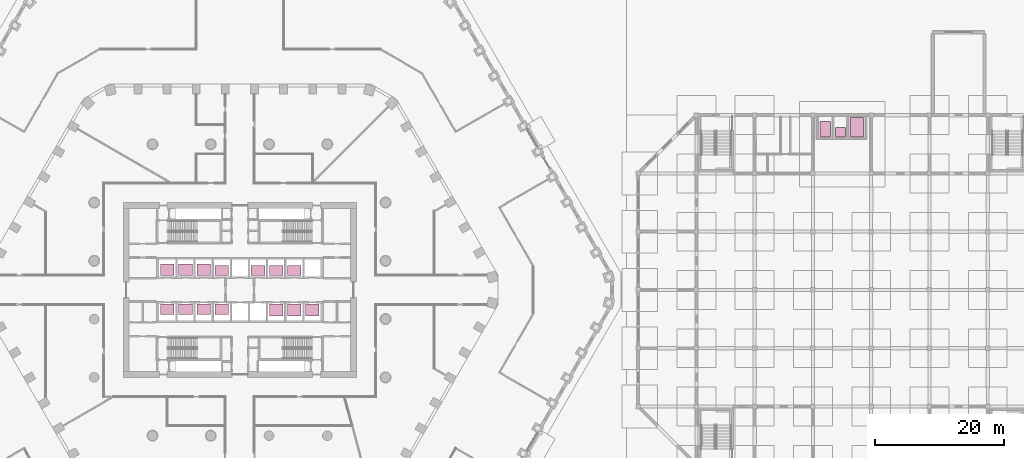
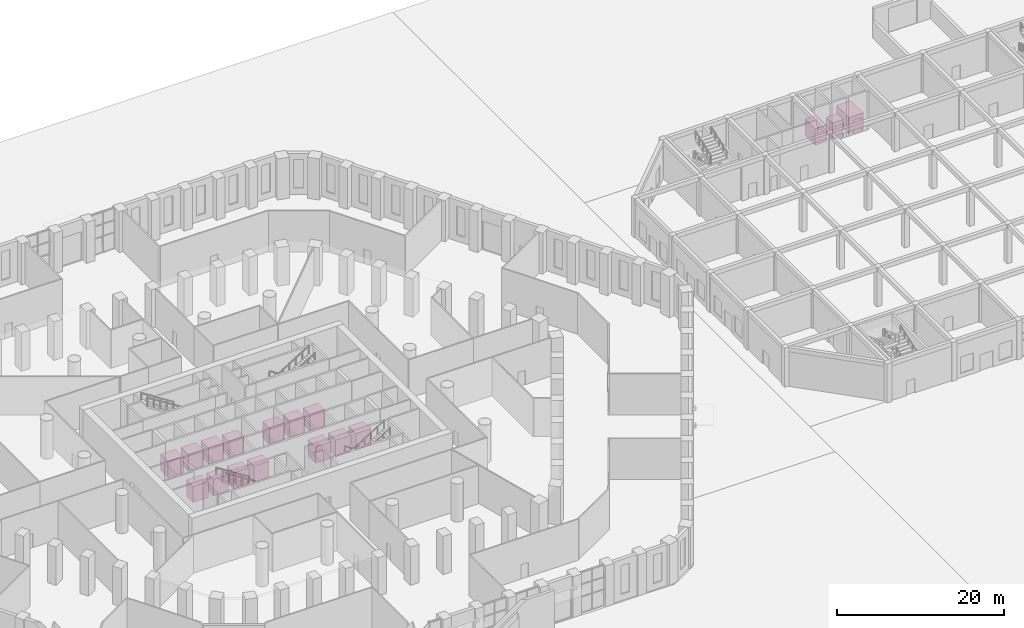
# One storey, part 44 of 44: 17 transport elements.
"""IFC4 building model written with IfcOpenShell, lengths in metres."""

from ifc_helpers import new_model, si_unit, direction, frame, origin, origin_2d, place, context, subcontext, project, spatial, rectangle, extrude, material, type_object, element, save


model = new_model("IFC4")

# Units and contexts
model_context = context("Model", 3, precision=1e-05, world=origin(), true_north=direction((0.0, 1.0)))
body_context = subcontext(model_context, "Body", "Model", "MODEL_VIEW")
ifc_project = project(units=[si_unit("LENGTHUNIT", "METRE"), si_unit("AREAUNIT", "SQUARE_METRE"), si_unit("VOLUMEUNIT", "CUBIC_METRE"), si_unit("PLANEANGLEUNIT", "RADIAN"), si_unit("MASSUNIT", "GRAM", prefix="KILO")], contexts=[model_context])

# Site, building, storey
site_placement = place(None, origin())
site = spatial("IfcSite", under=ifc_project, at=site_placement, CompositionType="ELEMENT")
building_placement = place(site_placement, origin())
building = spatial("IfcBuilding", under=site, at=building_placement, Name="Dhurran Vertical Campus", CompositionType="ELEMENT")
storey_placement = place(building_placement, origin())
storey = spatial("IfcBuildingStorey", under=building, at=storey_placement, Name="L00", CompositionType="ELEMENT", Elevation=0.0)

# Transport elements
ifc_material_1 = material(Name="Lift car, brushed stainless panels")
transport_element_type_1 = type_object("IfcTransportElementType", Name="co-LIFT-LR", PredefinedType="ELEVATOR", material=ifc_material_1)
for number, where, z_axis, x_axis, name in (
    (1, (-2.800048828125, 3.0, 0.0), (0.0, 0.0, 1.0), (1.0, 0.0, 0.0), "Low-rise passenger lift LR1"),
    (2, (2.800048828125, 3.0, 0.0), (0.0, 0.0, 1.0), (1.0, 0.0, 0.0), "Low-rise passenger lift LR2"),
    (3, (5.60009765625, 3.0, 0.0), (0.0, 0.0, 1.0), (1.0, 0.0, 0.0), "Low-rise passenger lift LR3"),
    (4, (8.39990234375, 3.0, 0.0), (0.0, 0.0, 1.0), (1.0, 0.0, 0.0), "Low-rise passenger lift LR4"),
    (5, (-11.199951171875, -3.0, 0.0), (0.0, 0.0, 1.0), (1.0, 0.0, 0.0), "Low-rise passenger lift LR5"),
    (6, (-8.39990234375, -3.0, 0.0), (0.0, 0.0, 1.0), (1.0, 0.0, 0.0), "Low-rise passenger lift LR6"),
    (7, (-5.60009765625, -3.0, 0.0), (0.0, 0.0, 1.0), (1.0, 0.0, 0.0), "Low-rise passenger lift LR7"),
    (8, (-2.800048828125, -3.0, 0.0), (0.0, 0.0, 1.0), (1.0, 0.0, 0.0), "Low-rise passenger lift LR8"),
):
    element("IfcTransportElement", number, at=place(storey_placement, frame(where, z_axis=z_axis, x_axis=x_axis)), inside=storey, type_object=transport_element_type_1, Name=name, PredefinedType="ELEVATOR", context=body_context, shape_type="SweptSolid", body=[
        extrude(rectangle(XDim=2.10009765625, YDim=1.60009765625, at=origin_2d()), origin(), (0.0, 0.0, 1.0), 2.39990234375),
    ])
ifc_material_2 = material(Name="Lift car, brushed stainless panels")
transport_element_type_2 = type_object("IfcTransportElementType", Name="co-LIFT-SHUTTLE", PredefinedType="ELEVATOR", material=ifc_material_2)
for number, where, z_axis, x_axis, name in (
    (9, (-11.199951171875, 3.10009765625, 0.0), (0.0, 0.0, 1.0), (1.0, 0.0, 0.0), "Sky lobby shuttle lift SA1"),
    (10, (-8.39990234375, 3.10009765625, 0.0), (0.0, 0.0, 1.0), (1.0, 0.0, 0.0), "Sky lobby shuttle lift SA2"),
    (11, (-5.60009765625, 3.10009765625, 0.0), (0.0, 0.0, 1.0), (1.0, 0.0, 0.0), "Sky lobby shuttle lift SA3"),
    (12, (5.60009765625, -3.10009765625, 0.0), (0.0, 0.0, 1.0), (1.0, 0.0, 0.0), "Sky lobby shuttle lift SB1"),
    (13, (8.39990234375, -3.10009765625, 0.0), (0.0, 0.0, 1.0), (1.0, 0.0, 0.0), "Sky lobby shuttle lift SB2"),
    (14, (11.199951171875, -3.10009765625, 0.0), (0.0, 0.0, 1.0), (1.0, 0.0, 0.0), "Sky lobby shuttle lift SB3"),
):
    element("IfcTransportElement", number, at=place(storey_placement, frame(where, z_axis=z_axis, x_axis=x_axis)), inside=storey, type_object=transport_element_type_2, Name=name, PredefinedType="ELEVATOR", context=body_context, shape_type="SweptSolid", body=[
        extrude(rectangle(XDim=2.10009765625, YDim=1.800048828125, at=origin_2d()), origin(), (0.0, 0.0, 1.0), 2.39990234375),
    ])
ifc_material_3 = material(Name="Stainless steel", Category="steel")
transport_element_type_3 = type_object("IfcTransportElementType", Name="hl-lift HLF1", PredefinedType="ELEVATOR", material=ifc_material_3)
transport_element_1_placement = place(storey_placement, frame((90.39990234375, 24.800048828125, 0.0), z_axis=(0.0, 0.0, 1.0), x_axis=(1.0, 0.0, 0.0)))
element("IfcTransportElement", 15, at=transport_element_1_placement, inside=storey, type_object=transport_element_type_3, Name="Lift LF1 (stretcher and passenger)", PredefinedType="ELEVATOR", context=body_context, shape_type="SweptSolid", body=[
    extrude(rectangle(XDim=1.60009765625, YDim=2.39990234375, at=origin_2d()), origin(), (0.0, 0.0, 1.0), 2.39990234375),
])
ifc_material_4 = material(Name="Stainless steel", Category="steel")
transport_element_type_4 = type_object("IfcTransportElementType", Name="hl-lift HLF2", PredefinedType="ELEVATOR", material=ifc_material_4)
transport_element_2_placement = place(storey_placement, frame((92.75, 24.35009765625, 0.0), z_axis=(0.0, 0.0, 1.0), x_axis=(1.0, 0.0, 0.0)))
element("IfcTransportElement", 16, at=transport_element_2_placement, inside=storey, type_object=transport_element_type_4, Name="Lift LF2 (passenger)", PredefinedType="ELEVATOR", context=body_context, shape_type="SweptSolid", body=[
    extrude(rectangle(XDim=1.5, YDim=1.5, at=origin_2d()), origin(), (0.0, 0.0, 1.0), 2.39990234375),
])
ifc_material_5 = material(Name="Stainless steel", Category="steel")
transport_element_type_5 = type_object("IfcTransportElementType", Name="hl-lift HLF3", PredefinedType="ELEVATOR", material=ifc_material_5)
transport_element_3_placement = place(storey_placement, frame((95.300048828125, 25.10009765625, 0.0), z_axis=(0.0, 0.0, 1.0), x_axis=(1.0, 0.0, 0.0)))
element("IfcTransportElement", 17, at=transport_element_3_placement, inside=storey, type_object=transport_element_type_5, Name="Lift LF3 (goods)", PredefinedType="ELEVATOR", context=body_context, shape_type="SweptSolid", body=[
    extrude(rectangle(XDim=2.0, YDim=3.0, at=origin_2d()), origin(), (0.0, 0.0, 1.0), 2.39990234375),
])

save(model, "model.ifc")
